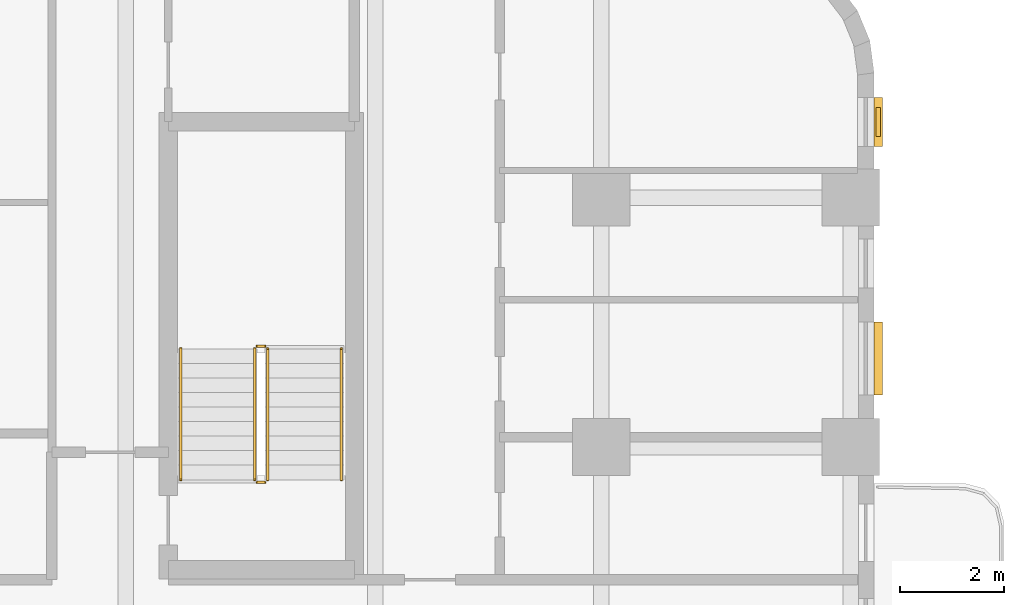
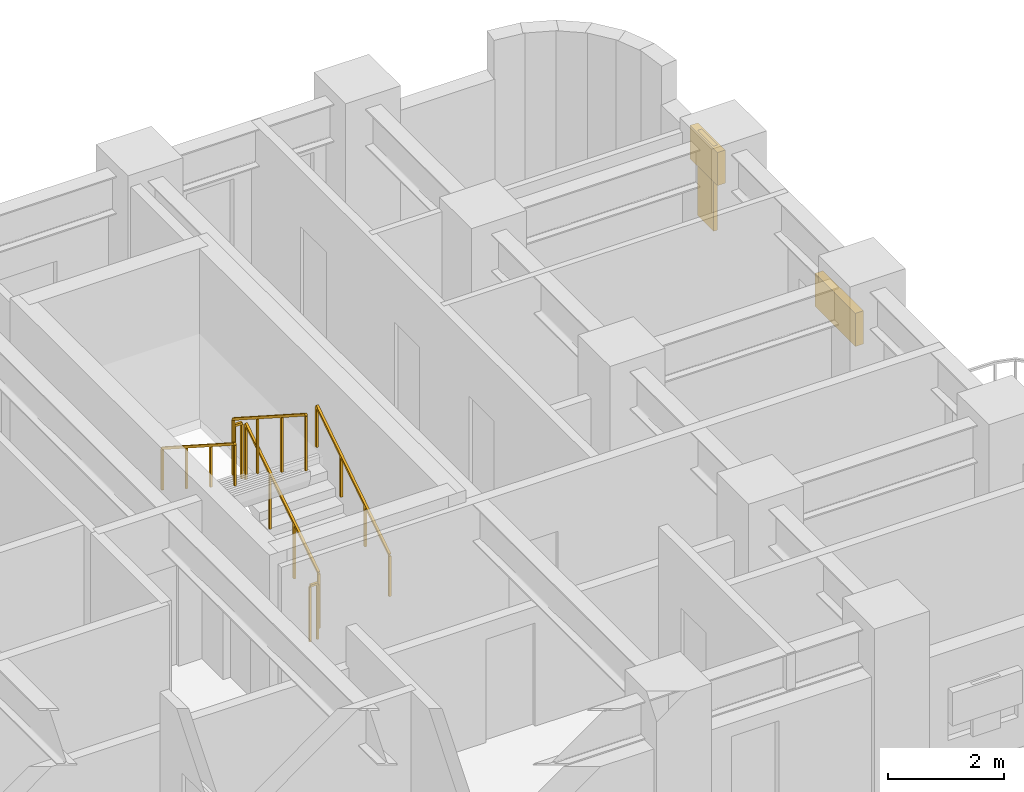
# One storey, part 11 of 12: 6 railings, 3 shading devices.
"""IFC4 building model written with IfcOpenShell, lengths in metres."""

import ifcopenshell
import ifcopenshell.guid

model = None  # the IFC model being written
_history = None  # IfcOwnerHistory: only IFC2X3 demands one
_inside = {}  # id of a spatial element -> (the spatial element, [elements in it])
_under = {}  # id of a project, library or spatial element -> (it, [spatial elements below it])
_declared = {}  # id of a project -> (the project, [libraries it declares])
_typed = {}  # id of a type object -> (the type object, [elements of that type])
_made_of = {}  # id of a material, layer set ... -> (it, [elements and type objects made of it])


def new_model(schema):
    """Start an empty IFC model of exactly this schema.

    Asked for "IFC4X3", IfcOpenShell would pick the latest addendum, in which some entities
    have other attributes; the version numbers below select the first issue.
    IFC2X3 requires an IfcOwnerHistory on every rooted entity: one is made here for all.
    """
    global model, _history
    if schema == "IFC4X3":
        model = ifcopenshell.file(schema_version=(4, 3, 0, 0))
    else:
        model = ifcopenshell.file(schema=schema)
    _inside.clear()
    _under.clear()
    _declared.clear()
    _typed.clear()
    _made_of.clear()
    _history = None
    if model.schema == "IFC2X3":
        org = make("IfcOrganization", Name="unknown")
        user = make(
            "IfcPersonAndOrganization",
            ThePerson=make("IfcPerson", FamilyName="unknown"),
            TheOrganization=org,
        )
        app = make(
            "IfcApplication",
            ApplicationDeveloper=org,
            Version="unknown",
            ApplicationFullName="unknown",
            ApplicationIdentifier="unknown",
        )
        _history = make(
            "IfcOwnerHistory",
            OwningUser=user,
            OwningApplication=app,
            ChangeAction="ADDED",
            CreationDate=0,
        )
    return model


def make(cls, **values):
    """One entity of the class cls with the attributes given. An attribute that is None is left unset."""
    return model.create_entity(
        cls, **{name: value for name, value in values.items() if value is not None}
    )


def rooted(cls, **values):
    """An entity with a GlobalId (a new one), such as an element, a storey or a relation."""
    return make(cls, GlobalId=ifcopenshell.guid.new(), OwnerHistory=_history, **values)


def si_unit(unit_type, name, prefix=None):
    """IfcSIUnit, for example si_unit("LENGTHUNIT", "METRE", prefix="MILLI")."""
    return make("IfcSIUnit", UnitType=unit_type, Prefix=prefix, Name=name)


def assignment(units):
    """IfcUnitAssignment: the units of a project."""
    return None if units is None else make("IfcUnitAssignment", Units=units)


def point(xyz):
    """IfcCartesianPoint."""
    return None if xyz is None else make("IfcCartesianPoint", Coordinates=xyz)


def direction(xyz):
    """IfcDirection."""
    return None if xyz is None else make("IfcDirection", DirectionRatios=xyz)


def frame(location, z_axis=None, x_axis=None):
    """IfcAxis2Placement3D, a coordinate frame: its origin and axes. An axis left out is left unset."""
    return make(
        "IfcAxis2Placement3D",
        Location=point(location),
        Axis=direction(z_axis),
        RefDirection=direction(x_axis),
    )


def frame_2d(location, x_axis=None):
    """IfcAxis2Placement2D, a coordinate frame in the plane: its origin and x axis."""
    return make(
        "IfcAxis2Placement2D", Location=point(location), RefDirection=direction(x_axis)
    )


def origin():
    """The frame at (0, 0, 0) with its axes left unset."""
    return frame((0.0, 0.0, 0.0))


def origin_2d():
    """The frame at (0, 0) in the plane with its x axis left unset."""
    return frame_2d((0.0, 0.0))


def place(relative_to, where):
    """IfcLocalPlacement: puts the frame where relative to a parent placement (None: the world)."""
    return make(
        "IfcLocalPlacement", PlacementRelTo=relative_to, RelativePlacement=where
    )


def context(
    kind, dimensions, precision=None, world=None, true_north=None, identifier=None
):
    """IfcGeometricRepresentationContext, for example the 3D "Model" context."""
    return make(
        "IfcGeometricRepresentationContext",
        ContextIdentifier=identifier,
        ContextType=kind,
        CoordinateSpaceDimension=dimensions,
        Precision=precision,
        WorldCoordinateSystem=world,
        TrueNorth=true_north,
    )


def subcontext(parent, identifier, kind, view, scale=None):
    """IfcGeometricRepresentationSubContext, for example "Body" below "Model"."""
    return make(
        "IfcGeometricRepresentationSubContext",
        ContextIdentifier=identifier,
        ContextType=kind,
        ParentContext=parent,
        TargetScale=scale,
        TargetView=view,
    )


def project(units=None, contexts=None):
    """IfcProject with its units and contexts."""
    return rooted(
        "IfcProject",
        Name="project",
        RepresentationContexts=contexts,
        UnitsInContext=assignment(units),
    )


def spatial(cls, under=None, at=None, **own):
    """A site, building, storey or space (cls), placed at a placement, below another one or the project."""
    s = rooted(cls, ObjectPlacement=at, **own)
    if under is not None:
        _under.setdefault(under.id(), (under, []))[1].append(s)
    return s


def profile(cls, at=None, kind="AREA", **sizes):
    """A parametric profile (cls). Its sizes go by their IFC names, for example OverallWidth=200.0."""
    return make(cls, ProfileType=kind, Position=at, **sizes)


def rectangle(**sizes):
    """IfcRectangleProfileDef."""
    return profile("IfcRectangleProfileDef", **sizes)


def extrude(swept, where, along, depth):
    """IfcExtrudedAreaSolid: the profile swept, set in the frame where, extruded along a direction by depth."""
    return make(
        "IfcExtrudedAreaSolid",
        SweptArea=swept,
        Position=where,
        ExtrudedDirection=direction(along),
        Depth=depth,
    )


def shape(context_of_items, identifier, shape_type, items):
    """IfcShapeRepresentation: the items that make up one representation, for example the "Body"."""
    return make(
        "IfcShapeRepresentation",
        ContextOfItems=context_of_items,
        RepresentationIdentifier=identifier,
        RepresentationType=shape_type,
        Items=items,
    )


def material(Name=None, Category=None):
    """IfcMaterial."""
    return make("IfcMaterial", Name=Name, Category=Category)


def made_of(thing, what):
    """Note that an element or type object is made of a material, layer set ...; save() writes the relation."""
    if what is not None:
        _made_of.setdefault(what.id(), (what, []))[1].append(thing)
    return thing


def type_object(cls, material=None, **own):
    """A type object (cls), such as IfcWallType, which elements share."""
    return made_of(rooted(cls, **own), material)


def element(
    cls,
    number,
    at=None,
    inside=None,
    cuts=None,
    type_object=None,
    material=None,
    context=None,
    identifier="Body",
    shape_type=None,
    held_by="IfcProductDefinitionShape",
    body=None,
    shapes=None,
    **own,
):
    """One element of the class cls, such as IfcWall. Its Tag is "e" and its number.

    at: its placement. inside: the storey or other place that contains it. cuts: it is an
    opening in that element (IfcRelVoidsElement). A single representation is given by context,
    identifier, shape_type and body (its items); several are given by shapes. held_by: the class
    of the entity that holds the representations. save() writes the other relations.
    """
    e = rooted(cls, Tag="e%d" % number, ObjectPlacement=at, **own)
    if body is not None:
        shapes = [shape(context, identifier, shape_type, body)]
    if shapes is not None:
        e.Representation = make(held_by, Representations=shapes)
    if inside is not None:
        _inside.setdefault(inside.id(), (inside, []))[1].append(e)
    if cuts is not None:
        rooted(
            "IfcRelVoidsElement", RelatingBuildingElement=cuts, RelatedOpeningElement=e
        )
    if type_object is not None:
        _typed.setdefault(type_object.id(), (type_object, []))[1].append(e)
    return made_of(e, material)


def aggregate(whole, parts):
    """IfcRelAggregates: a whole, such as a stair, and the parts it consists of."""
    return rooted("IfcRelAggregates", RelatingObject=whole, RelatedObjects=parts)


def save(model, path):
    """Write the relations noted so far, then the file.

    IfcRelAggregates (storeys below a building ...), IfcRelContainedInSpatialStructure (elements
    in a storey), IfcRelDefinesByType, IfcRelAssociatesMaterial and IfcRelDeclares: one each for
    every whole, place, type object, material and project.
    """
    for whole, parts in _under.values():
        aggregate(whole, parts)
    for where, things in _inside.values():
        rooted(
            "IfcRelContainedInSpatialStructure",
            RelatedElements=things,
            RelatingStructure=where,
        )
    for kind, things in _typed.values():
        rooted("IfcRelDefinesByType", RelatedObjects=things, RelatingType=kind)
    for what, things in _made_of.values():
        rooted("IfcRelAssociatesMaterial", RelatedObjects=things, RelatingMaterial=what)
    for by, libraries in _declared.values():
        rooted("IfcRelDeclares", RelatingContext=by, RelatedDefinitions=libraries)
    model.write(path)


model = new_model("IFC4")

# Units and contexts
model_context = context("Model", 3, precision=1e-05, world=origin(), true_north=direction((0.0, 1.0)))
body_context = subcontext(model_context, "Body", "Model", "MODEL_VIEW")
ifc_project = project(units=[si_unit("LENGTHUNIT", "METRE"), si_unit("AREAUNIT", "SQUARE_METRE"), si_unit("VOLUMEUNIT", "CUBIC_METRE"), si_unit("PLANEANGLEUNIT", "RADIAN"), si_unit("MASSUNIT", "GRAM", prefix="KILO")], contexts=[model_context])

# Site, building, storey
site_placement = place(None, origin())
site = spatial("IfcSite", under=ifc_project, at=site_placement, CompositionType="ELEMENT")
building_placement = place(site_placement, origin())
building = spatial("IfcBuilding", under=site, at=building_placement, Name="Orvandelia Arch Residences", CompositionType="ELEMENT")
storey_placement = place(building_placement, frame((0.0, 0.0, 43.0)))
storey = spatial("IfcBuildingStorey", under=building, at=storey_placement, Name="L10", CompositionType="ELEMENT", Elevation=43.0)

# Railings
ifc_material_1 = material(Name="Brushed Stainless Steel 304", Category="steel")
railing_type_1 = type_object("IfcRailingType", Name="RL-STAIR-GD1120", PredefinedType="GUARDRAIL", material=ifc_material_1)
railing_1_placement = place(storey_placement, frame((45.929931640625, 37.77001953125, 0.179931640625)))
element("IfcRailing", 1, at=railing_1_placement, inside=storey, type_object=railing_type_1, Name="L10 ST-3 stair guard 1", PredefinedType="GUARDRAIL", context=body_context, shape_type="SweptSolid", body=[
    extrude(rectangle(XDim=0.048095703125, YDim=0.048095703125, at=origin_2d()), frame((0.0, 0.0, 1.17578125), z_axis=(0.0, 0.841162588446, 0.540782303519), x_axis=(-1.0, 0.0, 0.0)), (0.0, 0.0, 1.0), 2.995849609375),
    extrude(rectangle(XDim=0.0419921875, YDim=0.0419921875, at=origin_2d()), origin(), (0.0, 0.0, 1.0), 1.15185546875),
    extrude(rectangle(XDim=0.0419921875, YDim=0.0419921875, at=origin_2d()), frame((0.0, 0.840087890625, 0.5400390625)), (0.0, 0.0, 1.0), 1.15185546875),
    extrude(rectangle(XDim=0.0419921875, YDim=0.0419921875, at=origin_2d()), frame((0.0, 1.679931640625, 1.080078125)), (0.0, 0.0, 1.0), 1.15185546875),
    extrude(rectangle(XDim=0.0419921875, YDim=0.0419921875, at=origin_2d()), frame((0.0, 2.52001953125, 1.6201171875)), (0.0, 0.0, 1.0), 1.15185546875),
])
railing_2_placement = place(storey_placement, frame((45.8798828125, 40.340087890625, 1.800048828125)))
element("IfcRailing", 2, at=railing_2_placement, inside=storey, type_object=railing_type_1, Name="L10 ST-3 stair guard 2", PredefinedType="GUARDRAIL", context=body_context, shape_type="SweptSolid", body=[
    extrude(rectangle(XDim=0.048095703125, YDim=0.048095703125, at=origin_2d()), frame((0.0, 0.0, 1.17578125), z_axis=(-1.0, 0.0, 0.0), x_axis=(0.0, -1.0, 0.0)), (0.0, 0.0, 1.0), 0.14990234375),
    extrude(rectangle(XDim=0.0419921875, YDim=0.0419921875, at=origin_2d()), origin(), (0.0, 0.0, 1.0), 1.15185546875),
    extrude(rectangle(XDim=0.0419921875, YDim=0.0419921875, at=origin_2d()), frame((-0.14990234375, 0.0, 0.0)), (0.0, 0.0, 1.0), 1.15185546875),
])
railing_3_placement = place(storey_placement, frame((45.679931640625, 40.2900390625, 1.97998046875)))
element("IfcRailing", 3, at=railing_3_placement, inside=storey, type_object=railing_type_1, Name="L10 ST-3 stair guard 3", PredefinedType="GUARDRAIL", context=body_context, shape_type="SweptSolid", body=[
    extrude(rectangle(XDim=0.048095703125, YDim=0.048095703125, at=origin_2d()), frame((0.0, 0.0, 1.17578125), z_axis=(0.0, -0.841162588446, 0.540782303519), x_axis=(1.0, 0.0, 0.0)), (0.0, 0.0, 1.0), 2.995849609375),
    extrude(rectangle(XDim=0.0419921875, YDim=0.0419921875, at=origin_2d()), origin(), (0.0, 0.0, 1.0), 1.15185546875),
    extrude(rectangle(XDim=0.0419921875, YDim=0.0419921875, at=origin_2d()), frame((0.0, -0.840087890625, 0.5400390625)), (0.0, 0.0, 1.0), 1.15185546875),
    extrude(rectangle(XDim=0.0419921875, YDim=0.0419921875, at=origin_2d()), frame((0.0, -1.679931640625, 1.080078125)), (0.0, 0.0, 1.0), 1.15185546875),
    extrude(rectangle(XDim=0.0419921875, YDim=0.0419921875, at=origin_2d()), frame((0.0, -2.52001953125, 1.6201171875)), (0.0, 0.0, 1.0), 1.15185546875),
])
railing_4_placement = place(storey_placement, frame((45.8798828125, 37.719970703125, 0.0)))
element("IfcRailing", 4, at=railing_4_placement, inside=storey, type_object=railing_type_1, Name="L10 ST-3 stair guard 4", PredefinedType="GUARDRAIL", context=body_context, shape_type="SweptSolid", body=[
    extrude(rectangle(XDim=0.048095703125, YDim=0.048095703125, at=origin_2d()), frame((0.0, 0.0, 1.17578125), z_axis=(-1.0, 0.0, 0.0), x_axis=(0.0, -1.0, 0.0)), (0.0, 0.0, 1.0), 0.14990234375),
    extrude(rectangle(XDim=0.0419921875, YDim=0.0419921875, at=origin_2d()), origin(), (0.0, 0.0, 1.0), 1.15185546875),
    extrude(rectangle(XDim=0.0419921875, YDim=0.0419921875, at=origin_2d()), frame((-0.14990234375, 0.0, 0.0)), (0.0, 0.0, 1.0), 1.15185546875),
])
railing_type_2 = type_object("IfcRailingType", Name="RL-STAIR-HR920", PredefinedType="HANDRAIL", material=ifc_material_1)
railing_5_placement = place(storey_placement, frame((47.35009765625, 37.77001953125, 0.360107421875)))
element("IfcRailing", 5, at=railing_5_placement, inside=storey, type_object=railing_type_2, Name="L10 ST-3 stair handrail 1", PredefinedType="HANDRAIL", context=body_context, shape_type="SweptSolid", body=[
    extrude(rectangle(XDim=0.048095703125, YDim=0.048095703125, at=origin_2d()), frame((0.0, 0.0, 0.8759765625), z_axis=(0.0, 0.841199657755, 0.540724639528), x_axis=(-1.0, 0.0, 0.0)), (0.0, 0.0, 1.0), 2.995849609375),
    extrude(rectangle(XDim=0.0419921875, YDim=0.0419921875, at=origin_2d()), origin(), (0.0, 0.0, 1.0), 0.851806640625),
    extrude(rectangle(XDim=0.0419921875, YDim=0.0419921875, at=origin_2d()), frame((0.0, 0.840087890625, 0.5400390625)), (0.0, 0.0, 1.0), 0.851806640625),
    extrude(rectangle(XDim=0.0419921875, YDim=0.0419921875, at=origin_2d()), frame((0.0, 1.679931640625, 1.079833984375)), (0.0, 0.0, 1.0), 0.851806640625),
    extrude(rectangle(XDim=0.0419921875, YDim=0.0419921875, at=origin_2d()), frame((0.0, 2.52001953125, 1.619873046875)), (0.0, 0.0, 1.0), 0.851806640625),
])
railing_6_placement = place(storey_placement, frame((44.260009765625, 40.2900390625, 2.159912109375)))
element("IfcRailing", 6, at=railing_6_placement, inside=storey, type_object=railing_type_2, Name="L10 ST-3 stair handrail 2", PredefinedType="HANDRAIL", context=body_context, shape_type="SweptSolid", body=[
    extrude(rectangle(XDim=0.048095703125, YDim=0.048095703125, at=origin_2d()), frame((0.0, 0.0, 0.8759765625), z_axis=(0.0, -0.841162588446, 0.540782303519), x_axis=(1.0, 0.0, 0.0)), (0.0, 0.0, 1.0), 2.995849609375),
    extrude(rectangle(XDim=0.0419921875, YDim=0.0419921875, at=origin_2d()), origin(), (0.0, 0.0, 1.0), 0.851806640625),
    extrude(rectangle(XDim=0.0419921875, YDim=0.0419921875, at=origin_2d()), frame((0.0, -0.840087890625, 0.5400390625)), (0.0, 0.0, 1.0), 0.851806640625),
    extrude(rectangle(XDim=0.0419921875, YDim=0.0419921875, at=origin_2d()), frame((0.0, -1.679931640625, 1.080078125)), (0.0, 0.0, 1.0), 0.851806640625),
    extrude(rectangle(XDim=0.0419921875, YDim=0.0419921875, at=origin_2d()), frame((0.0, -2.52001953125, 1.6201171875)), (0.0, 0.0, 1.0), 0.851806640625),
])

# Shading devices
ifc_material_2 = material(Name="Anodised Champagne-Bronze Extruded Aluminium", Category="aluminium")
shading_device_type_1 = type_object("IfcShadingDeviceType", Name="SHD-JALOUSIE-SCREEN", PredefinedType="JALOUSIE", material=ifc_material_2)
shading_device_1_placement = place(storey_placement, frame((57.679931640625, 44.655029296875, 1.5498046875), z_axis=(0.0, 0.0, 1.0), x_axis=(0.0, -1.0, 0.0)))
element("IfcShadingDevice", 7, at=shading_device_1_placement, inside=storey, type_object=shading_device_type_1, Name="Bronze Jalousie Sun-Shade L10-003", PredefinedType="JALOUSIE", context=body_context, shape_type="SweptSolid", body=[
    extrude(rectangle(XDim=0.949951171875, YDim=0.159912109375, at=origin_2d()), origin(), (0.0, 0.0, 1.0), 0.699951171875),
])
shading_device_2_placement = place(storey_placement, frame((57.679931640625, 40.1015625, 1.0498046875), z_axis=(0.0, 0.0, 1.0), x_axis=(0.0, -1.0, 0.0)))
element("IfcShadingDevice", 8, at=shading_device_2_placement, inside=storey, type_object=shading_device_type_1, Name="Bronze Jalousie Sun-Shade L10-004", PredefinedType="JALOUSIE", context=body_context, shape_type="SweptSolid", body=[
    extrude(rectangle(XDim=1.39990234375, YDim=0.159912109375, at=origin_2d()), origin(), (0.0, 0.0, 1.0), 0.699951171875),
])
ifc_material_3 = material(Name="Marine-Grade Perforated Aluminium Storm Shutter", Category="aluminium")
shading_device_type_2 = type_object("IfcShadingDeviceType", Name="SHD-STORM-SHUTTER", PredefinedType="SHUTTER", material=ifc_material_3)
shading_device_3_placement = place(storey_placement, frame((57.679931640625, 44.655029296875, 0.4501953125), z_axis=(0.0, 0.0, 1.0), x_axis=(0.0, -1.0, 0.0)))
element("IfcShadingDevice", 9, at=shading_device_3_placement, inside=storey, type_object=shading_device_type_2, Name="Operable Typhoon Storm Shutter L10-003", PredefinedType="SHUTTER", context=body_context, shape_type="SweptSolid", body=[
    extrude(rectangle(XDim=0.550048828125, YDim=0.080078125, at=origin_2d()), origin(), (0.0, 0.0, 1.0), 1.800048828125),
])

save(model, "model.ifc")
